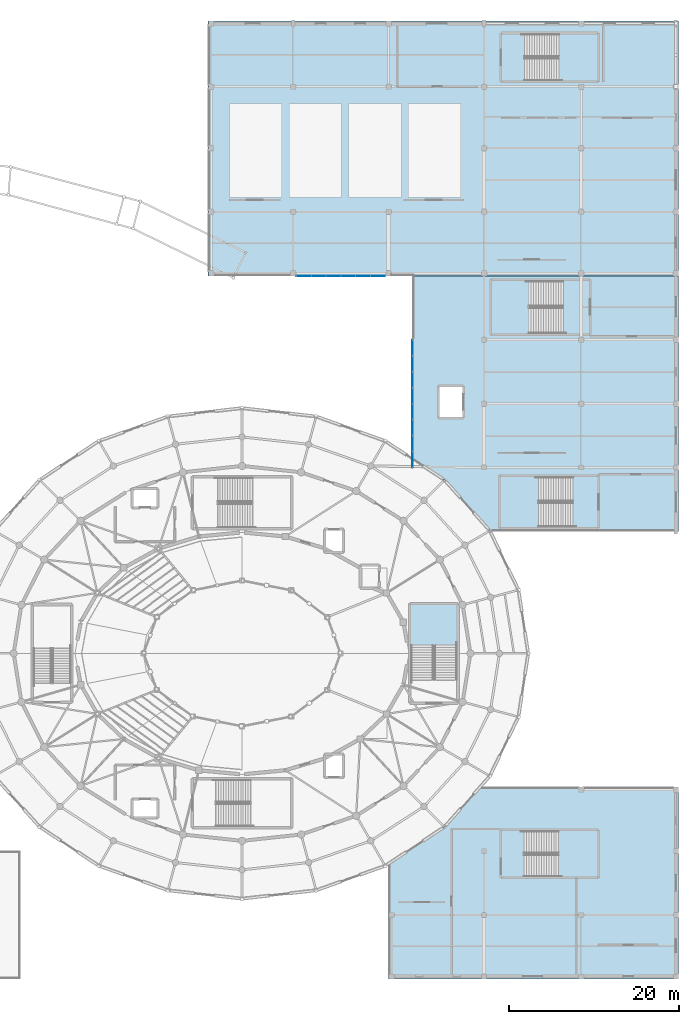
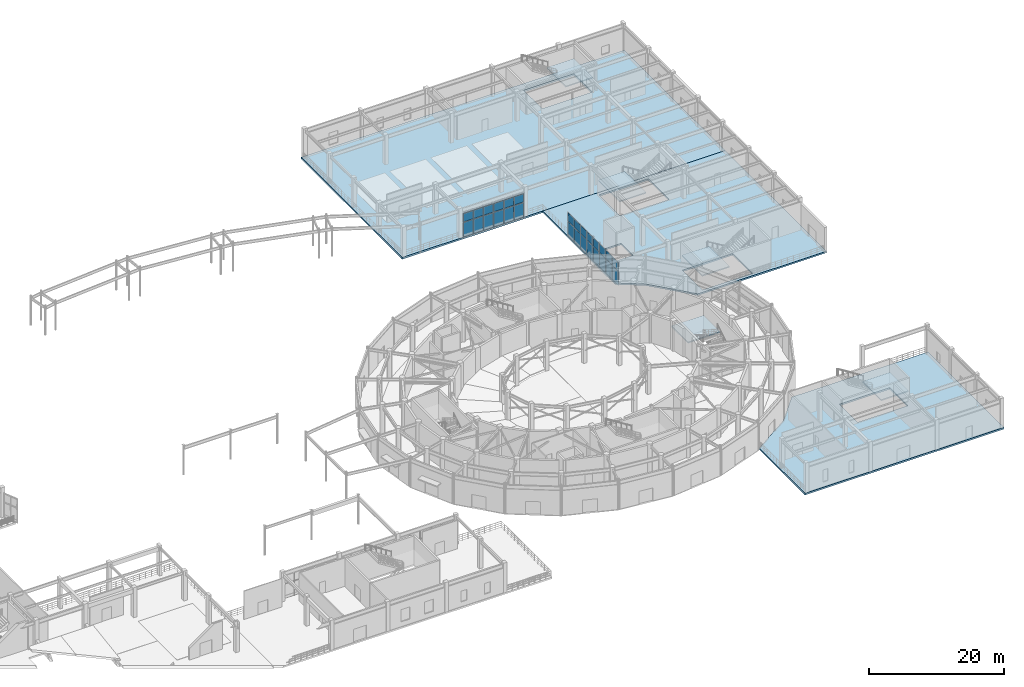
# One storey, part 45 of 93: 28 plates, 8 slabs, 8 elements without a shape of their own.
"""IFC4 building model written with IfcOpenShell, lengths in metres."""

from ifc_helpers import new_model, si_unit, direction, frame, origin, origin_2d, place, context, subcontext, project, spatial, polyline, rectangle, outline, extrude, material, layer, layer_set, type_object, element, aggregate, save


model = new_model("IFC4")

# Units and contexts
model_context = context("Model", 3, precision=1e-05, world=origin(), true_north=direction((0.0, 1.0)))
body_context = subcontext(model_context, "Body", "Model", "MODEL_VIEW")
ifc_project = project(units=[si_unit("LENGTHUNIT", "METRE"), si_unit("AREAUNIT", "SQUARE_METRE"), si_unit("VOLUMEUNIT", "CUBIC_METRE"), si_unit("PLANEANGLEUNIT", "RADIAN"), si_unit("MASSUNIT", "GRAM", prefix="KILO")], contexts=[model_context])

# Site, building, storey
site_placement = place(None, origin())
site = spatial("IfcSite", under=ifc_project, at=site_placement, CompositionType="ELEMENT")
building_placement = place(site_placement, origin())
building = spatial("IfcBuilding", under=site, at=building_placement, Name="Cinderbank Siding Concert Hall", CompositionType="ELEMENT")
storey_placement = place(building_placement, origin())
storey = spatial("IfcBuildingStorey", under=building, at=storey_placement, Name="L01", CompositionType="ELEMENT", Elevation=0.0)

# Curtain wall, plates
ifc_material_1 = material(Name="Anodised aluminium alloy 6063-T6", Category="aluminium")
curtain_wall_type = type_object("IfcCurtainWallType", Name="CW-16 Unitised Acoustic Curtain Wall 9200x3800", PredefinedType="NOTDEFINED", material=ifc_material_1)
curtain_wall_1_placement = place(storey_placement, origin())
curtain_wall_1 = element("IfcCurtainWall", 1, at=curtain_wall_1_placement, inside=storey, type_object=curtain_wall_type, Name="L01 Curtain Wall CW-16 #144", PredefinedType="NOTDEFINED")
ifc_material_2 = material(Name="Double-glazed laminated acoustic glass", Category="glass")
ifc_layer_1 = layer(ifc_material_2, 0.035888671875)
ifc_layer_set_1 = layer_set([ifc_layer_1], Name="Double-glazed laminated acoustic glass")
plate_type_1 = type_object("IfcPlateType", Name="CP-01 Glazed Curtain Panel 1800x2200", PredefinedType="CURTAIN_PANEL", material=ifc_layer_set_1)
plate_1_placement = place(storey_placement, frame((142.0, 66.737548828125, 0.1201171875), z_axis=(0.0, 0.0, 1.0), x_axis=(0.0, 1.0, 0.0)))
plate_1 = element("IfcPlate", 2, at=plate_1_placement, type_object=plate_type_1, Name="CW-L01-144 Glazed Panel 0-0", PredefinedType="CURTAIN_PANEL", context=body_context, shape_type="SweptSolid", body=[
    extrude(rectangle(XDim=1.77490234375, YDim=0.035888671875, at=origin_2d()), origin(), (0.0, 0.0, 1.0), 2.548095703125),
])
plate_2_placement = place(storey_placement, frame((142.0, 66.737548828125, 2.7880859375), z_axis=(0.0, 0.0, 1.0), x_axis=(0.0, 1.0, 0.0)))
plate_2 = element("IfcPlate", 3, at=plate_2_placement, type_object=plate_type_1, Name="CW-L01-144 Glazed Panel 0-1", PredefinedType="CURTAIN_PANEL", context=body_context, shape_type="SweptSolid", body=[
    extrude(rectangle(XDim=1.77490234375, YDim=0.035888671875, at=origin_2d()), origin(), (0.0, 0.0, 1.0), 1.491943359375),
])
plate_3_placement = place(storey_placement, frame((142.0, 68.612548828125, 0.1201171875), z_axis=(0.0, 0.0, 1.0), x_axis=(0.0, 1.0, 0.0)))
plate_3 = element("IfcPlate", 4, at=plate_3_placement, type_object=plate_type_1, Name="CW-L01-144 Glazed Panel 1-0", PredefinedType="CURTAIN_PANEL", context=body_context, shape_type="SweptSolid", body=[
    extrude(rectangle(XDim=1.77490234375, YDim=0.035888671875, at=origin_2d()), origin(), (0.0, 0.0, 1.0), 2.548095703125),
])
plate_4_placement = place(storey_placement, frame((142.0, 68.612548828125, 2.7880859375), z_axis=(0.0, 0.0, 1.0), x_axis=(0.0, 1.0, 0.0)))
plate_4 = element("IfcPlate", 5, at=plate_4_placement, type_object=plate_type_1, Name="CW-L01-144 Glazed Panel 1-1", PredefinedType="CURTAIN_PANEL", context=body_context, shape_type="SweptSolid", body=[
    extrude(rectangle(XDim=1.77490234375, YDim=0.035888671875, at=origin_2d()), origin(), (0.0, 0.0, 1.0), 1.491943359375),
])
plate_5_placement = place(storey_placement, frame((142.0, 70.487548828125, 0.1201171875), z_axis=(0.0, 0.0, 1.0), x_axis=(0.0, 1.0, 0.0)))
plate_5 = element("IfcPlate", 6, at=plate_5_placement, type_object=plate_type_1, Name="CW-L01-144 Glazed Panel 2-0", PredefinedType="CURTAIN_PANEL", context=body_context, shape_type="SweptSolid", body=[
    extrude(rectangle(XDim=1.77490234375, YDim=0.035888671875, at=origin_2d()), origin(), (0.0, 0.0, 1.0), 2.548095703125),
])
plate_6_placement = place(storey_placement, frame((142.0, 70.487548828125, 2.7880859375), z_axis=(0.0, 0.0, 1.0), x_axis=(0.0, 1.0, 0.0)))
plate_6 = element("IfcPlate", 7, at=plate_6_placement, type_object=plate_type_1, Name="CW-L01-144 Glazed Panel 2-1", PredefinedType="CURTAIN_PANEL", context=body_context, shape_type="SweptSolid", body=[
    extrude(rectangle(XDim=1.77490234375, YDim=0.035888671875, at=origin_2d()), origin(), (0.0, 0.0, 1.0), 1.491943359375),
])
plate_7_placement = place(storey_placement, frame((142.0, 72.362548828125, 0.1201171875), z_axis=(0.0, 0.0, 1.0), x_axis=(0.0, 1.0, 0.0)))
plate_7 = element("IfcPlate", 8, at=plate_7_placement, type_object=plate_type_1, Name="CW-L01-144 Glazed Panel 3-0", PredefinedType="CURTAIN_PANEL", context=body_context, shape_type="SweptSolid", body=[
    extrude(rectangle(XDim=1.77490234375, YDim=0.035888671875, at=origin_2d()), origin(), (0.0, 0.0, 1.0), 2.548095703125),
])
plate_8_placement = place(storey_placement, frame((142.0, 72.362548828125, 2.7880859375), z_axis=(0.0, 0.0, 1.0), x_axis=(0.0, 1.0, 0.0)))
plate_8 = element("IfcPlate", 9, at=plate_8_placement, type_object=plate_type_1, Name="CW-L01-144 Glazed Panel 3-1", PredefinedType="CURTAIN_PANEL", context=body_context, shape_type="SweptSolid", body=[
    extrude(rectangle(XDim=1.77490234375, YDim=0.035888671875, at=origin_2d()), origin(), (0.0, 0.0, 1.0), 1.491943359375),
])
aggregate(curtain_wall_1, [plate_1, plate_2, plate_3, plate_4, plate_5, plate_6, plate_7, plate_8])

curtain_wall_2_placement = place(storey_placement, origin())
curtain_wall_2 = element("IfcCurtainWall", 10, at=curtain_wall_2_placement, inside=storey, type_object=curtain_wall_type, Name="L01 Curtain Wall CW-16 #145", PredefinedType="NOTDEFINED")
ifc_layer_2 = layer(ifc_material_2, 0.035888671875)
ifc_layer_set_2 = layer_set([ifc_layer_2], Name="Double-glazed laminated acoustic glass")
plate_type_2 = type_object("IfcPlateType", Name="CP-02 Glazed Curtain Panel 1800x1900", PredefinedType="CURTAIN_PANEL", material=ifc_layer_set_2)
plate_9_placement = place(storey_placement, frame((142.0, 74.237548828125, 0.1201171875), z_axis=(0.0, 0.0, 1.0), x_axis=(0.0, 1.0, 0.0)))
plate_9 = element("IfcPlate", 11, at=plate_9_placement, type_object=plate_type_2, Name="CW-L01-145 Glazed Panel 0-0", PredefinedType="CURTAIN_PANEL", context=body_context, shape_type="SweptSolid", body=[
    extrude(rectangle(XDim=1.77490234375, YDim=0.035888671875, at=origin_2d()), origin(), (0.0, 0.0, 1.0), 2.548095703125),
])
plate_10_placement = place(storey_placement, frame((142.0, 74.237548828125, 2.7880859375), z_axis=(0.0, 0.0, 1.0), x_axis=(0.0, 1.0, 0.0)))
plate_10 = element("IfcPlate", 12, at=plate_10_placement, type_object=plate_type_2, Name="CW-L01-145 Glazed Panel 0-1", PredefinedType="CURTAIN_PANEL", context=body_context, shape_type="SweptSolid", body=[
    extrude(rectangle(XDim=1.77490234375, YDim=0.035888671875, at=origin_2d()), origin(), (0.0, 0.0, 1.0), 1.491943359375),
])
plate_11_placement = place(storey_placement, frame((142.0, 76.112548828125, 0.1201171875), z_axis=(0.0, 0.0, 1.0), x_axis=(0.0, 1.0, 0.0)))
plate_11 = element("IfcPlate", 13, at=plate_11_placement, type_object=plate_type_2, Name="CW-L01-145 Glazed Panel 1-0", PredefinedType="CURTAIN_PANEL", context=body_context, shape_type="SweptSolid", body=[
    extrude(rectangle(XDim=1.77490234375, YDim=0.035888671875, at=origin_2d()), origin(), (0.0, 0.0, 1.0), 2.548095703125),
])
plate_12_placement = place(storey_placement, frame((142.0, 76.112548828125, 2.7880859375), z_axis=(0.0, 0.0, 1.0), x_axis=(0.0, 1.0, 0.0)))
plate_12 = element("IfcPlate", 14, at=plate_12_placement, type_object=plate_type_2, Name="CW-L01-145 Glazed Panel 1-1", PredefinedType="CURTAIN_PANEL", context=body_context, shape_type="SweptSolid", body=[
    extrude(rectangle(XDim=1.77490234375, YDim=0.035888671875, at=origin_2d()), origin(), (0.0, 0.0, 1.0), 1.491943359375),
])
plate_13_placement = place(storey_placement, frame((142.0, 77.987548828125, 0.1201171875), z_axis=(0.0, 0.0, 1.0), x_axis=(0.0, 1.0, 0.0)))
plate_13 = element("IfcPlate", 15, at=plate_13_placement, type_object=plate_type_2, Name="CW-L01-145 Glazed Panel 2-0", PredefinedType="CURTAIN_PANEL", context=body_context, shape_type="SweptSolid", body=[
    extrude(rectangle(XDim=1.77490234375, YDim=0.035888671875, at=origin_2d()), origin(), (0.0, 0.0, 1.0), 2.548095703125),
])
plate_14_placement = place(storey_placement, frame((142.0, 77.987548828125, 2.7880859375), z_axis=(0.0, 0.0, 1.0), x_axis=(0.0, 1.0, 0.0)))
plate_14 = element("IfcPlate", 16, at=plate_14_placement, type_object=plate_type_2, Name="CW-L01-145 Glazed Panel 2-1", PredefinedType="CURTAIN_PANEL", context=body_context, shape_type="SweptSolid", body=[
    extrude(rectangle(XDim=1.77490234375, YDim=0.035888671875, at=origin_2d()), origin(), (0.0, 0.0, 1.0), 1.491943359375),
])
plate_15_placement = place(storey_placement, frame((142.0, 79.862548828125, 0.1201171875), z_axis=(0.0, 0.0, 1.0), x_axis=(0.0, 1.0, 0.0)))
plate_15 = element("IfcPlate", 17, at=plate_15_placement, type_object=plate_type_2, Name="CW-L01-145 Glazed Panel 3-0", PredefinedType="CURTAIN_PANEL", context=body_context, shape_type="SweptSolid", body=[
    extrude(rectangle(XDim=1.77490234375, YDim=0.035888671875, at=origin_2d()), origin(), (0.0, 0.0, 1.0), 2.548095703125),
])
plate_16_placement = place(storey_placement, frame((142.0, 79.862548828125, 2.7880859375), z_axis=(0.0, 0.0, 1.0), x_axis=(0.0, 1.0, 0.0)))
plate_16 = element("IfcPlate", 18, at=plate_16_placement, type_object=plate_type_2, Name="CW-L01-145 Glazed Panel 3-1", PredefinedType="CURTAIN_PANEL", context=body_context, shape_type="SweptSolid", body=[
    extrude(rectangle(XDim=1.77490234375, YDim=0.035888671875, at=origin_2d()), origin(), (0.0, 0.0, 1.0), 1.491943359375),
])
aggregate(curtain_wall_2, [plate_9, plate_10, plate_11, plate_12, plate_13, plate_14, plate_15, plate_16])

curtain_wall_3_placement = place(storey_placement, origin())
curtain_wall_3 = element("IfcCurtainWall", 19, at=curtain_wall_3_placement, inside=storey, type_object=curtain_wall_type, Name="L01 Curtain Wall CW-16 #150", PredefinedType="NOTDEFINED")
ifc_layer_3 = layer(ifc_material_2, 0.033935546875)
ifc_layer_set_3 = layer_set([ifc_layer_3], Name="Double-glazed laminated acoustic glass")
plate_type_3 = type_object("IfcPlateType", Name="CP-07 Glazed Curtain Panel 1500x1750", PredefinedType="CURTAIN_PANEL", material=ifc_layer_set_3)
plate_17_placement = place(storey_placement, frame((129.25830078125, 88.300048828125, 0.1201171875), z_axis=(0.0, 0.0, 1.0), x_axis=(1.0, 0.0, 0.0)))
plate_17 = element("IfcPlate", 20, at=plate_17_placement, type_object=plate_type_3, Name="CW-L01-150 Glazed Panel 0-0", PredefinedType="CURTAIN_PANEL", context=body_context, shape_type="SweptSolid", body=[
    extrude(rectangle(XDim=1.63671875, YDim=0.035888671875, at=origin_2d()), origin(), (0.0, 0.0, 1.0), 2.548095703125),
])
plate_18_placement = place(storey_placement, frame((129.25830078125, 88.300048828125, 2.7880859375), z_axis=(0.0, 0.0, 1.0), x_axis=(1.0, 0.0, 0.0)))
plate_18 = element("IfcPlate", 21, at=plate_18_placement, type_object=plate_type_3, Name="CW-L01-150 Glazed Panel 0-1", PredefinedType="CURTAIN_PANEL", context=body_context, shape_type="SweptSolid", body=[
    extrude(rectangle(XDim=1.63671875, YDim=0.035888671875, at=origin_2d()), origin(), (0.0, 0.0, 1.0), 1.491943359375),
])
plate_19_placement = place(storey_placement, frame((130.9951171875, 88.300048828125, 0.1201171875), z_axis=(0.0, 0.0, 1.0), x_axis=(1.0, 0.0, 0.0)))
plate_19 = element("IfcPlate", 22, at=plate_19_placement, type_object=plate_type_3, Name="CW-L01-150 Glazed Panel 1-0", PredefinedType="CURTAIN_PANEL", context=body_context, shape_type="SweptSolid", body=[
    extrude(rectangle(XDim=1.63671875, YDim=0.035888671875, at=origin_2d()), origin(), (0.0, 0.0, 1.0), 2.548095703125),
])
plate_20_placement = place(storey_placement, frame((130.9951171875, 88.300048828125, 2.7880859375), z_axis=(0.0, 0.0, 1.0), x_axis=(1.0, 0.0, 0.0)))
plate_20 = element("IfcPlate", 23, at=plate_20_placement, type_object=plate_type_3, Name="CW-L01-150 Glazed Panel 1-1", PredefinedType="CURTAIN_PANEL", context=body_context, shape_type="SweptSolid", body=[
    extrude(rectangle(XDim=1.63671875, YDim=0.035888671875, at=origin_2d()), origin(), (0.0, 0.0, 1.0), 1.491943359375),
])
plate_21_placement = place(storey_placement, frame((132.731689453125, 88.300048828125, 0.1201171875), z_axis=(0.0, 0.0, 1.0), x_axis=(1.0, 0.0, 0.0)))
plate_21 = element("IfcPlate", 24, at=plate_21_placement, type_object=plate_type_3, Name="CW-L01-150 Glazed Panel 2-0", PredefinedType="CURTAIN_PANEL", context=body_context, shape_type="SweptSolid", body=[
    extrude(rectangle(XDim=1.63671875, YDim=0.035888671875, at=origin_2d()), origin(), (0.0, 0.0, 1.0), 2.548095703125),
])
plate_22_placement = place(storey_placement, frame((132.731689453125, 88.300048828125, 2.7880859375), z_axis=(0.0, 0.0, 1.0), x_axis=(1.0, 0.0, 0.0)))
plate_22 = element("IfcPlate", 25, at=plate_22_placement, type_object=plate_type_3, Name="CW-L01-150 Glazed Panel 2-1", PredefinedType="CURTAIN_PANEL", context=body_context, shape_type="SweptSolid", body=[
    extrude(rectangle(XDim=1.63671875, YDim=0.035888671875, at=origin_2d()), origin(), (0.0, 0.0, 1.0), 1.491943359375),
])
plate_23_placement = place(storey_placement, frame((134.46826171875, 88.300048828125, 0.1201171875), z_axis=(0.0, 0.0, 1.0), x_axis=(1.0, 0.0, 0.0)))
plate_23 = element("IfcPlate", 26, at=plate_23_placement, type_object=plate_type_3, Name="CW-L01-150 Glazed Panel 3-0", PredefinedType="CURTAIN_PANEL", context=body_context, shape_type="SweptSolid", body=[
    extrude(rectangle(XDim=1.63671875, YDim=0.035888671875, at=origin_2d()), origin(), (0.0, 0.0, 1.0), 2.548095703125),
])
plate_24_placement = place(storey_placement, frame((134.46826171875, 88.300048828125, 2.7880859375), z_axis=(0.0, 0.0, 1.0), x_axis=(1.0, 0.0, 0.0)))
plate_24 = element("IfcPlate", 27, at=plate_24_placement, type_object=plate_type_3, Name="CW-L01-150 Glazed Panel 3-1", PredefinedType="CURTAIN_PANEL", context=body_context, shape_type="SweptSolid", body=[
    extrude(rectangle(XDim=1.63671875, YDim=0.035888671875, at=origin_2d()), origin(), (0.0, 0.0, 1.0), 1.491943359375),
])
plate_25_placement = place(storey_placement, frame((136.205078125, 88.300048828125, 0.1201171875), z_axis=(0.0, 0.0, 1.0), x_axis=(1.0, 0.0, 0.0)))
plate_25 = element("IfcPlate", 28, at=plate_25_placement, type_object=plate_type_3, Name="CW-L01-150 Glazed Panel 4-0", PredefinedType="CURTAIN_PANEL", context=body_context, shape_type="SweptSolid", body=[
    extrude(rectangle(XDim=1.63671875, YDim=0.035888671875, at=origin_2d()), origin(), (0.0, 0.0, 1.0), 2.548095703125),
])
plate_26_placement = place(storey_placement, frame((136.205078125, 88.300048828125, 2.7880859375), z_axis=(0.0, 0.0, 1.0), x_axis=(1.0, 0.0, 0.0)))
plate_26 = element("IfcPlate", 29, at=plate_26_placement, type_object=plate_type_3, Name="CW-L01-150 Glazed Panel 4-1", PredefinedType="CURTAIN_PANEL", context=body_context, shape_type="SweptSolid", body=[
    extrude(rectangle(XDim=1.63671875, YDim=0.035888671875, at=origin_2d()), origin(), (0.0, 0.0, 1.0), 1.491943359375),
])
plate_27_placement = place(storey_placement, frame((137.941650390625, 88.300048828125, 0.1201171875), z_axis=(0.0, 0.0, 1.0), x_axis=(1.0, 0.0, 0.0)))
plate_27 = element("IfcPlate", 30, at=plate_27_placement, type_object=plate_type_3, Name="CW-L01-150 Glazed Panel 5-0", PredefinedType="CURTAIN_PANEL", context=body_context, shape_type="SweptSolid", body=[
    extrude(rectangle(XDim=1.63671875, YDim=0.035888671875, at=origin_2d()), origin(), (0.0, 0.0, 1.0), 2.548095703125),
])
plate_28_placement = place(storey_placement, frame((137.941650390625, 88.300048828125, 2.7880859375), z_axis=(0.0, 0.0, 1.0), x_axis=(1.0, 0.0, 0.0)))
plate_28 = element("IfcPlate", 31, at=plate_28_placement, type_object=plate_type_3, Name="CW-L01-150 Glazed Panel 5-1", PredefinedType="CURTAIN_PANEL", context=body_context, shape_type="SweptSolid", body=[
    extrude(rectangle(XDim=1.63671875, YDim=0.035888671875, at=origin_2d()), origin(), (0.0, 0.0, 1.0), 1.491943359375),
])
aggregate(curtain_wall_3, [plate_17, plate_18, plate_19, plate_20, plate_21, plate_22, plate_23, plate_24, plate_25, plate_26, plate_27, plate_28])

# Stair, slab
ifc_material_3 = material(Name="Reinforced concrete AS 3600 N50 (50 MPa)", Category="concrete")
stair_type_1 = type_object("IfcStairType", Name="STR-B Dogleg Exit Stair 2600mm", PredefinedType="HALF_TURN_STAIR", material=ifc_material_3)
stair_1_placement = place(storey_placement, origin())
stair_1 = element("IfcStair", 32, at=stair_1_placement, inside=storey, type_object=stair_type_1, Name="L01 Fire-isolated Exit Stair ST-03", PredefinedType="HALF_TURN_STAIR")
ifc_layer_4 = layer(ifc_material_3, 0.199951171875)
ifc_layer_set_4 = layer_set([ifc_layer_4], Name="Reinforced concrete AS 3600 N50 (50 MPa)")
slab_type_1 = type_object("IfcSlabType", Name="LD-02 Slab 200mm", PredefinedType="LANDING", material=ifc_layer_set_4)
slab_1_placement = place(storey_placement, frame((0.0, 0.0, 2.5)))
slab_1 = element("IfcSlab", 33, at=slab_1_placement, type_object=slab_type_1, Name="ST-03 landing 1", PredefinedType="LANDING", context=body_context, shape_type="SweptSolid", body=[
    extrude(outline(polyline([(147.280029296875, 44.8798828125), (141.760009765625, 44.8798828125), (141.760009765625, 49.780029296875), (147.280029296875, 49.780029296875), (147.280029296875, 44.8798828125)])), origin(), (0.0, 0.0, 1.0), 0.199951171875),
])
aggregate(stair_1, [slab_1])

stair_type_2 = type_object("IfcStairType", Name="STR-A Dogleg Exit Stair 2650mm", PredefinedType="HALF_TURN_STAIR", material=ifc_material_3)
stair_2_placement = place(storey_placement, origin())
stair_2 = element("IfcStair", 34, at=stair_2_placement, inside=storey, type_object=stair_type_2, Name="L01 Orchestral Pavilion Exit Stair ST-07", PredefinedType="HALF_TURN_STAIR")
slab_2_placement = place(storey_placement, frame((0.0, 0.0, 2.5)))
slab_2 = element("IfcSlab", 35, at=slab_2_placement, type_object=slab_type_1, Name="ST-07 landing 1", PredefinedType="LANDING", context=body_context, shape_type="SweptSolid", body=[
    extrude(outline(polyline([(159.1298828125, 111.1201171875), (159.1298828125, 116.739990234375), (163.780029296875, 116.739990234375), (163.780029296875, 111.1201171875), (159.1298828125, 111.1201171875)])), origin(), (0.0, 0.0, 1.0), 0.199951171875),
])
aggregate(stair_2, [slab_2])

stair_3_placement = place(storey_placement, origin())
stair_3 = element("IfcStair", 36, at=stair_3_placement, inside=storey, type_object=stair_type_1, Name="L01 Southeast Concourse Exit Stair ST-10", PredefinedType="HALF_TURN_STAIR")
slab_3_placement = place(storey_placement, frame((0.0, 0.0, 2.5)))
slab_3 = element("IfcSlab", 37, at=slab_3_placement, type_object=slab_type_1, Name="ST-10 landing 1", PredefinedType="LANDING", context=body_context, shape_type="SweptSolid", body=[
    extrude(outline(polyline([(159.080078125, 17.719970703125), (159.080078125, 23.239990234375), (163.780029296875, 23.239990234375), (163.780029296875, 17.719970703125), (159.080078125, 17.719970703125)])), origin(), (0.0, 0.0, 1.0), 0.199951171875),
])
aggregate(stair_3, [slab_3])

stair_type_3 = type_object("IfcStairType", Name="STR-I Dogleg Exit Stair 3000mm", PredefinedType="HALF_TURN_STAIR", material=ifc_material_3)
stair_4_placement = place(storey_placement, origin())
stair_4 = element("IfcStair", 38, at=stair_4_placement, inside=storey, type_object=stair_type_3, Name="L01 East Link Exit Stair ST-11", PredefinedType="HALF_TURN_STAIR")
slab_4_placement = place(storey_placement, frame((0.0, 0.0, 2.5)))
slab_4 = element("IfcSlab", 39, at=slab_4_placement, type_object=slab_type_1, Name="ST-11 landing 1", PredefinedType="LANDING", context=body_context, shape_type="SweptSolid", body=[
    extrude(outline(polyline([(155.719970703125, 87.7900390625), (155.719970703125, 81.469970703125), (151.219970703125, 81.469970703125), (151.219970703125, 87.7900390625), (155.719970703125, 87.7900390625)])), origin(), (0.0, 0.0, 1.0), 0.199951171875),
])
aggregate(stair_4, [slab_4])

stair_type_4 = type_object("IfcStairType", Name="STR-J Dogleg Exit Stair 2850mm", PredefinedType="HALF_TURN_STAIR", material=ifc_material_3)
stair_5_placement = place(storey_placement, origin())
stair_5 = element("IfcStair", 40, at=stair_5_placement, inside=storey, type_object=stair_type_4, Name="L01 East Link South Exit Stair ST-12", PredefinedType="HALF_TURN_STAIR")
slab_5_placement = place(storey_placement, frame((0.0, 0.0, 2.5)))
slab_5 = element("IfcSlab", 41, at=slab_5_placement, type_object=slab_type_1, Name="ST-12 landing 1", PredefinedType="LANDING", context=body_context, shape_type="SweptSolid", body=[
    extrude(outline(polyline([(156.8701171875, 64.7900390625), (156.8701171875, 58.77001953125), (152.219970703125, 58.77001953125), (152.219970703125, 64.7900390625), (156.8701171875, 64.7900390625)])), origin(), (0.0, 0.0, 1.0), 0.199951171875),
])
aggregate(stair_5, [slab_5])

# Slabs
ifc_layer_5 = layer(ifc_material_3, 0.320068359375)
ifc_layer_set_5 = layer_set([ifc_layer_5], Name="Reinforced concrete AS 3600 N50 (50 MPa)")
slab_type_2 = type_object("IfcSlabType", Name="SL-01 Slab 320mm", PredefinedType="FLOOR", material=ifc_layer_set_5)
slab_6_placement = place(storey_placement, frame((0.0, 0.0, -0.320068359375)))
element("IfcSlab", 42, at=slab_6_placement, inside=storey, type_object=slab_type_2, Name="L01 Orchestral Rehearsal Pavilion Slab", PredefinedType="FLOOR", context=body_context, shape_type="SweptSolid", body=[
    extrude(outline(polyline([(118.0, 88.300048828125), (118.0, 118.199951171875), (173.199951171875, 118.199951171875), (173.199951171875, 88.300048828125), (118.0, 88.300048828125)]), holes=[polyline([(155.14990234375, 111.199951171875), (163.699951171875, 111.199951171875), (163.699951171875, 116.659912109375), (155.14990234375, 116.659912109375), (155.14990234375, 111.199951171875)])]), origin(), (0.0, 0.0, 1.0), 0.320068359375),
])
ifc_layer_6 = layer(ifc_material_3, 0.280029296875)
ifc_layer_set_6 = layer_set([ifc_layer_6], Name="Reinforced concrete AS 3600 N50 (50 MPa)")
slab_type_3 = type_object("IfcSlabType", Name="SL-02 Slab 280mm", PredefinedType="FLOOR", material=ifc_layer_set_6)
slab_7_placement = place(storey_placement, frame((0.0, 0.0, -0.280029296875)))
element("IfcSlab", 43, at=slab_7_placement, inside=storey, type_object=slab_type_3, Name="L01 EL Concourse Slab", PredefinedType="FLOOR", context=body_context, shape_type="SweptSolid", body=[
    extrude(outline(polyline([(173.199951171875, 88.300048828125), (173.199951171875, 58.300048828125), (151.146728515625, 58.300048828125), (151.098388671875, 58.39990234375), (145.7587890625, 64.36474609375), (142.0, 66.8369140625), (142.0, 88.300048828125), (173.199951171875, 88.300048828125)]), holes=[polyline([(159.699951171875, 87.7099609375), (151.300048828125, 87.7099609375), (151.300048828125, 81.550048828125), (159.699951171875, 81.550048828125), (159.699951171875, 87.7099609375)]), polyline([(160.85009765625, 64.7099609375), (152.300048828125, 64.7099609375), (152.300048828125, 58.85009765625), (160.85009765625, 58.85009765625), (160.85009765625, 64.7099609375)]), polyline([(145.139892578125, 71.739990234375), (147.860107421875, 71.739990234375), (147.860107421875, 75.260009765625), (145.139892578125, 75.260009765625), (145.139892578125, 71.739990234375)])]), origin(), (0.0, 0.0, 1.0), 0.280029296875),
])
ifc_layer_7 = layer(ifc_material_3, 0.300048828125)
ifc_layer_set_7 = layer_set([ifc_layer_7], Name="Reinforced concrete AS 3600 N50 (50 MPa)")
slab_type_4 = type_object("IfcSlabType", Name="SL-05 Slab 300mm", PredefinedType="FLOOR", material=ifc_layer_set_7)
slab_8_placement = place(storey_placement, frame((0.0, 0.0, -0.300048828125)))
element("IfcSlab", 44, at=slab_8_placement, inside=storey, type_object=slab_type_4, Name="L01 SE Concourse Slab", PredefinedType="FLOOR", context=body_context, shape_type="SweptSolid", body=[
    extrude(outline(polyline([(173.199951171875, 28.300048828125), (173.199951171875, 5.800048828125), (139.199951171875, 5.800048828125), (139.199951171875, 19.321533203125), (145.7587890625, 23.63525390625), (149.934814453125, 28.300048828125), (173.199951171875, 28.300048828125)]), holes=[polyline([(155.10009765625, 17.800048828125), (163.699951171875, 17.800048828125), (163.699951171875, 23.159912109375), (155.10009765625, 23.159912109375), (155.10009765625, 17.800048828125)])]), origin(), (0.0, 0.0, 1.0), 0.300048828125),
])

save(model, "model.ifc")
